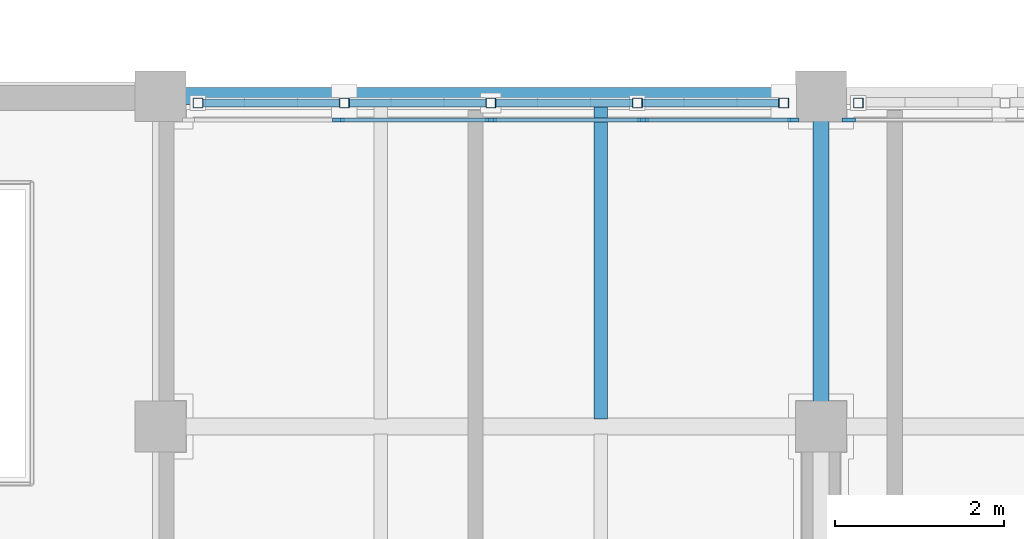
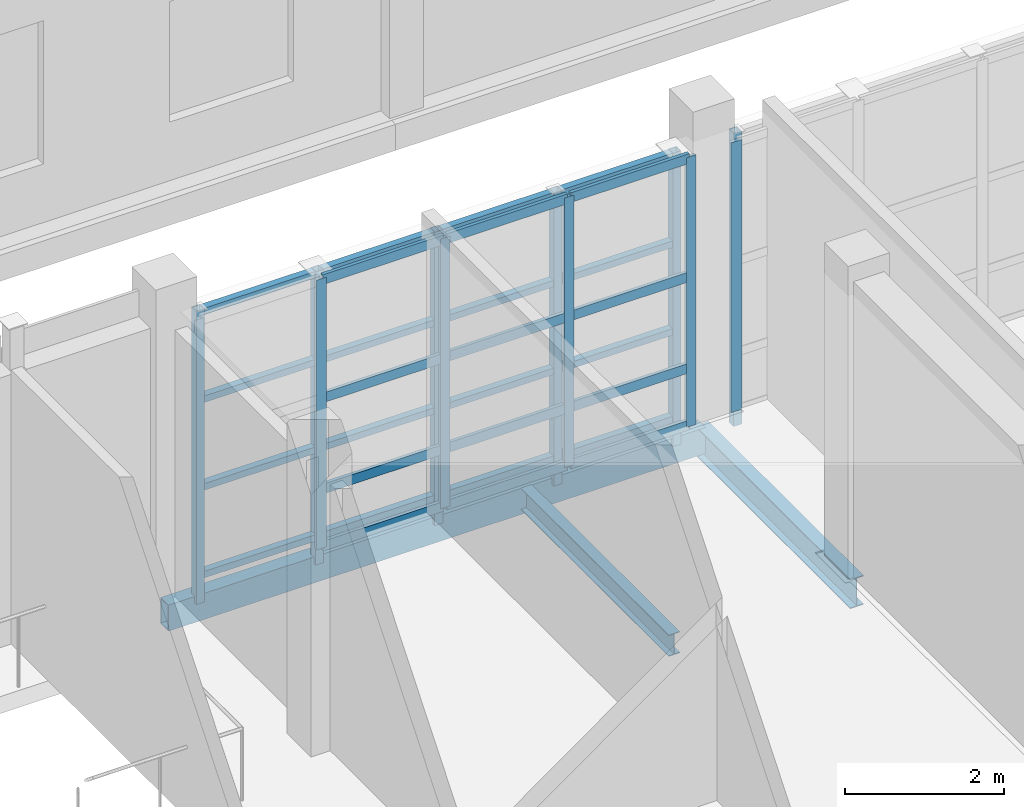
# One storey, part 23 of 138: 39 members, 3 beams, 2 elements without a shape of their own.
"""IFC4 building model written with IfcOpenShell, lengths in metres."""

from ifc_helpers import new_model, si_unit, direction, frame, origin, origin_2d, place, context, subcontext, project, spatial, rectangle, hollow_rectangle, i_section, extrude, material, layer, layer_set, material_profile, profile_set, type_object, element, aggregate, save


model = new_model("IFC4")

# Units and contexts
model_context = context("Model", 3, precision=1e-05, world=origin(), true_north=direction((0.0, 1.0)))
body_context = subcontext(model_context, "Body", "Model", "MODEL_VIEW")
ifc_project = project(units=[si_unit("LENGTHUNIT", "METRE"), si_unit("AREAUNIT", "SQUARE_METRE"), si_unit("VOLUMEUNIT", "CUBIC_METRE"), si_unit("PLANEANGLEUNIT", "RADIAN"), si_unit("MASSUNIT", "GRAM", prefix="KILO")], contexts=[model_context])

# Site, building, storey
site_placement = place(None, origin())
site = spatial("IfcSite", under=ifc_project, at=site_placement, CompositionType="ELEMENT")
building_placement = place(site_placement, origin())
building = spatial("IfcBuilding", under=site, at=building_placement, Name="Celorna Specialist Clinic", CompositionType="ELEMENT")
storey_placement = place(building_placement, frame((0.0, 0.0, 4.800048828125)))
storey = spatial("IfcBuildingStorey", under=building, at=storey_placement, Name="L01", CompositionType="ELEMENT", Elevation=4.800048828125)

# Beams
ifc_material_1 = material(Name="Steel S355", Category="steel")
ifc_material_profile_1 = material_profile(ifc_material_1, i_section(OverallWidth=0.18994140625, OverallDepth=0.449951171875, WebThickness=0.009521484375, FlangeThickness=0.0146484375, at=origin_2d()), Name="IPE 450")
ifc_profile_set_1 = profile_set([ifc_material_profile_1], Name="Steel S355")
beam_type_1 = type_object("IfcBeamType", Name="BM-09", PredefinedType="BEAM", material=ifc_profile_set_1)
beam_1_placement = place(storey_placement, frame((31.199951171875, 23.39990234375, -0.485107421875), z_axis=(0.0, 1.0, 0.0), x_axis=(-1.0, 0.0, 0.0)))
element("IfcBeam", 1, at=beam_1_placement, inside=storey, type_object=beam_type_1, Name="Transverse girder BM-09 #1642", PredefinedType="BEAM", context=body_context, shape_type="SweptSolid", body=[
    extrude(i_section(OverallWidth=0.18994140625, OverallDepth=0.449951171875, WebThickness=0.009521484375, FlangeThickness=0.0146484375, at=origin_2d()), origin(), (0.0, 0.0, 1.0), 3.900146484375),
])
ifc_material_profile_2 = material_profile(ifc_material_1, i_section(OverallWidth=0.159912109375, OverallDepth=0.330078125, WebThickness=0.007568359375, FlangeThickness=0.011474609375, at=origin_2d()), Name="IPE 330")
ifc_profile_set_2 = profile_set([ifc_material_profile_2], Name="Steel S355")
beam_type_2 = type_object("IfcBeamType", Name="BM-12", PredefinedType="JOIST", material=ifc_profile_set_2)
beam_2_placement = place(storey_placement, frame((28.60009765625, 23.488037109375, -0.425048828125), z_axis=(0.0, 1.0, 0.0), x_axis=(-1.0, 0.0, 0.0)))
element("IfcBeam", 2, at=beam_2_placement, inside=storey, type_object=beam_type_2, Name="Secondary floor joist BM-12 #1683", PredefinedType="JOIST", context=body_context, shape_type="SweptSolid", body=[
    extrude(i_section(OverallWidth=0.159912109375, OverallDepth=0.330078125, WebThickness=0.007568359375, FlangeThickness=0.011474609375, at=origin_2d()), origin(), (0.0, 0.0, 1.0), 3.723876953125),
])
ifc_material_profile_3 = material_profile(ifc_material_1, hollow_rectangle(XDim=0.199951171875, YDim=0.39990234375, WallThickness=0.011962890625, at=origin_2d()), Name="RHS 200x400x12")
ifc_profile_set_3 = profile_set([ifc_material_profile_3], Name="Steel S355")
beam_type_3 = type_object("IfcBeamType", Name="BM-15", PredefinedType="SPANDREL", material=ifc_profile_set_3)
beam_3_placement = place(storey_placement, frame((23.39990234375, 27.300048828125, -0.4599609375), z_axis=(1.0, 0.0, 0.0), x_axis=(0.0, 1.0, 0.0)))
element("IfcBeam", 3, at=beam_3_placement, inside=storey, type_object=beam_type_3, Name="Spandrel beam BM-15 #1615", PredefinedType="SPANDREL", context=body_context, shape_type="SweptSolid", body=[
    extrude(hollow_rectangle(XDim=0.199951171875, YDim=0.39990234375, WallThickness=0.011962890625, at=origin_2d()), origin(), (0.0, 0.0, 1.0), 7.800048828125),
])

# Members
ifc_material_profile_4 = material_profile(ifc_material_1, hollow_rectangle(XDim=0.1201171875, YDim=0.1201171875, WallThickness=0.008056640625, at=origin_2d()), Name="SHS 120x120x8")
ifc_profile_set_4 = profile_set([ifc_material_profile_4], Name="Steel S355")
member_type_1 = type_object("IfcMemberType", Name="MB-11", PredefinedType="STUD", material=ifc_profile_set_4)
for number, where, z_axis, x_axis, name in (
    (4, (23.840087890625, 27.219970703125, -0.360107421875), (0.0, 0.0, 1.0), (1.0, 0.0, 0.0), "Perforated screen steel post #1731"),
    (5, (25.570068359375, 27.219970703125, -0.360107421875), (0.0, 0.0, 1.0), (1.0, 0.0, 0.0), "Perforated screen steel post #1732"),
    (6, (27.300048828125, 27.219970703125, -0.360107421875), (0.0, 0.0, 1.0), (1.0, 0.0, 0.0), "Perforated screen steel post #1733"),
    (7, (29.030029296875, 27.219970703125, -0.360107421875), (0.0, 0.0, 1.0), (1.0, 0.0, 0.0), "Perforated screen steel post #1734"),
    (8, (30.760009765625, 27.219970703125, -0.360107421875), (0.0, 0.0, 1.0), (1.0, 0.0, 0.0), "Perforated screen steel post #1735"),
    (9, (31.639892578125, 27.219970703125, -0.360107421875), (0.0, 0.0, 1.0), (1.0, 0.0, 0.0), "Perforated screen steel post #1752"),
):
    element("IfcMember", number, at=place(storey_placement, frame(where, z_axis=z_axis, x_axis=x_axis)), inside=storey, type_object=member_type_1, Name=name, PredefinedType="STUD", context=body_context, shape_type="SweptSolid", body=[
        extrude(hollow_rectangle(XDim=0.1201171875, YDim=0.1201171875, WallThickness=0.008056640625, at=origin_2d()), origin(), (0.0, 0.0, 1.0), 4.5),
    ])
ifc_material_profile_5 = material_profile(ifc_material_1, hollow_rectangle(XDim=0.10009765625, YDim=0.10009765625, WallThickness=0.006103515625, at=origin_2d()), Name="SHS 100x100x6")
ifc_profile_set_5 = profile_set([ifc_material_profile_5], Name="Steel S355")
member_type_2 = type_object("IfcMemberType", Name="MB-12", PredefinedType="STUD", material=ifc_profile_set_5)
for number, where, z_axis, x_axis, name in (
    (10, (23.89990234375, 27.219970703125, 0.050048828125), (1.0, 0.0, 0.0), (0.0, 1.0, 0.0), "Perforated screen rail #1736"),
    (11, (23.89990234375, 27.219970703125, 1.396728515625), (1.0, 0.0, 0.0), (0.0, 1.0, 0.0), "Perforated screen rail #1737"),
    (12, (23.89990234375, 27.219970703125, 2.7431640625), (1.0, 0.0, 0.0), (0.0, 1.0, 0.0), "Perforated screen rail #1738"),
    (13, (23.89990234375, 27.219970703125, 4.08984375), (1.0, 0.0, 0.0), (0.0, 1.0, 0.0), "Perforated screen rail #1739"),
    (14, (25.6298828125, 27.219970703125, 0.050048828125), (1.0, 0.0, 0.0), (0.0, 1.0, 0.0), "Perforated screen rail #1740"),
    (15, (25.6298828125, 27.219970703125, 1.396728515625), (1.0, 0.0, 0.0), (0.0, 1.0, 0.0), "Perforated screen rail #1741"),
    (16, (25.6298828125, 27.219970703125, 2.7431640625), (1.0, 0.0, 0.0), (0.0, 1.0, 0.0), "Perforated screen rail #1742"),
    (17, (25.6298828125, 27.219970703125, 4.08984375), (1.0, 0.0, 0.0), (0.0, 1.0, 0.0), "Perforated screen rail #1743"),
):
    element("IfcMember", number, at=place(storey_placement, frame(where, z_axis=z_axis, x_axis=x_axis)), inside=storey, type_object=member_type_2, Name=name, PredefinedType="STUD", context=body_context, shape_type="SweptSolid", body=[
        extrude(hollow_rectangle(XDim=0.10009765625, YDim=0.10009765625, WallThickness=0.006103515625, at=origin_2d()), origin(), (0.0, 0.0, 1.0), 1.610107421875),
    ])
for number, where, z_axis, x_axis, name in (
    (18, (27.360107421875, 27.219970703125, 0.050048828125), (1.0, 0.0, 0.0), (0.0, 1.0, 0.0), "Perforated screen rail #1744"),
    (19, (27.360107421875, 27.219970703125, 1.396728515625), (1.0, 0.0, 0.0), (0.0, 1.0, 0.0), "Perforated screen rail #1745"),
    (20, (27.360107421875, 27.219970703125, 2.7431640625), (1.0, 0.0, 0.0), (0.0, 1.0, 0.0), "Perforated screen rail #1746"),
    (21, (27.360107421875, 27.219970703125, 4.08984375), (1.0, 0.0, 0.0), (0.0, 1.0, 0.0), "Perforated screen rail #1747"),
    (22, (29.090087890625, 27.219970703125, 0.050048828125), (1.0, 0.0, 0.0), (0.0, 1.0, 0.0), "Perforated screen rail #1748"),
    (23, (29.090087890625, 27.219970703125, 1.396728515625), (1.0, 0.0, 0.0), (0.0, 1.0, 0.0), "Perforated screen rail #1749"),
    (24, (29.090087890625, 27.219970703125, 2.7431640625), (1.0, 0.0, 0.0), (0.0, 1.0, 0.0), "Perforated screen rail #1750"),
    (25, (29.090087890625, 27.219970703125, 4.08984375), (1.0, 0.0, 0.0), (0.0, 1.0, 0.0), "Perforated screen rail #1751"),
):
    element("IfcMember", number, at=place(storey_placement, frame(where, z_axis=z_axis, x_axis=x_axis)), inside=storey, type_object=member_type_2, Name=name, PredefinedType="STUD", context=body_context, shape_type="SweptSolid", body=[
        extrude(hollow_rectangle(XDim=0.10009765625, YDim=0.10009765625, WallThickness=0.006103515625, at=origin_2d()), origin(), (0.0, 0.0, 1.0), 1.60986328125),
    ])

# Curtain wall, member
ifc_material_2 = material(Name="Thermally broken aluminium and solar-control glass curtain wall", Category="aluminium")
ifc_layer_1 = layer(ifc_material_2, 0.159912109375, Name="Thermally broken aluminium and solar-control glass curtain wall")
ifc_layer_set_1 = layer_set([ifc_layer_1], Name="Thermally broken aluminium and solar-control glass curtain wall")
curtain_wall_type_1 = type_object("IfcCurtainWallType", Name="CW-16", PredefinedType="NOTDEFINED", material=ifc_layer_set_1)
curtain_wall_1_placement = place(storey_placement, origin())
curtain_wall_1 = element("IfcCurtainWall", 26, at=curtain_wall_1_placement, inside=storey, type_object=curtain_wall_type_1, Name="Curtain wall CW-16 #156", PredefinedType="NOTDEFINED")
ifc_material_3 = material(Name="Anodized aluminium mullion", Category="aluminium")
ifc_material_profile_6 = material_profile(ifc_material_3, rectangle(XDim=0.050048828125, YDim=0.159912109375, at=origin_2d()), Name="ALU MULLION 50x160")
ifc_profile_set_6 = profile_set([ifc_material_profile_6], Name="Anodized aluminium mullion")
member_type_3 = type_object("IfcMemberType", Name="ML-01", PredefinedType="MULLION", material=ifc_profile_set_6)
member_1_placement = place(storey_placement, frame((31.529052734375, 27.02001953125, 0.0), z_axis=(0.0, 0.0, 1.0), x_axis=(0.0, 1.0, 0.0)))
member_1 = element("IfcMember", 27, at=member_1_placement, type_object=member_type_3, Name="CW-16 mullion 1", PredefinedType="MULLION", context=body_context, shape_type="SweptSolid", body=[
    extrude(rectangle(XDim=0.050048828125, YDim=0.159912109375, at=origin_2d()), origin(), (0.0, 0.0, 1.0), 4.139892578125),
])
aggregate(curtain_wall_1, [member_1])

# Curtain wall, members
ifc_layer_2 = layer(ifc_material_2, 0.159912109375, Name="Thermally broken aluminium and solar-control glass curtain wall")
ifc_layer_set_2 = layer_set([ifc_layer_2], Name="Thermally broken aluminium and solar-control glass curtain wall")
curtain_wall_type_2 = type_object("IfcCurtainWallType", Name="CW-15", PredefinedType="NOTDEFINED", material=ifc_layer_set_2)
curtain_wall_2_placement = place(storey_placement, origin())
curtain_wall_2 = element("IfcCurtainWall", 28, at=curtain_wall_2_placement, inside=storey, type_object=curtain_wall_type_2, Name="Curtain wall CW-15 #155", PredefinedType="NOTDEFINED")
ifc_material_profile_7 = material_profile(ifc_material_3, rectangle(XDim=0.050048828125, YDim=0.139892578125, at=origin_2d()), Name="ALU MULLION 50x140")
ifc_profile_set_7 = profile_set([ifc_material_profile_7], Name="Anodized aluminium mullion")
member_type_4 = type_object("IfcMemberType", Name="ML-03", PredefinedType="MULLION", material=ifc_profile_set_7)
member_2_placement = place(storey_placement, frame((25.501953125, 27.02001953125, 0.0), z_axis=(0.0, 0.0, 1.0), x_axis=(0.0, 1.0, 0.0)))
member_2 = element("IfcMember", 29, at=member_2_placement, type_object=member_type_4, Name="CW-15 mullion 2", PredefinedType="MULLION", context=body_context, shape_type="SweptSolid", body=[
    extrude(rectangle(XDim=0.050048828125, YDim=0.139892578125, at=origin_2d()), origin(), (0.0, 0.0, 1.0), 4.139892578125),
])
member_3_placement = place(storey_placement, frame((27.300048828125, 27.02001953125, 0.0), z_axis=(0.0, 0.0, 1.0), x_axis=(0.0, 1.0, 0.0)))
member_3 = element("IfcMember", 30, at=member_3_placement, type_object=member_type_4, Name="CW-15 mullion 3", PredefinedType="MULLION", context=body_context, shape_type="SweptSolid", body=[
    extrude(rectangle(XDim=0.050048828125, YDim=0.139892578125, at=origin_2d()), origin(), (0.0, 0.0, 1.0), 4.139892578125),
])
member_4_placement = place(storey_placement, frame((29.097900390625, 27.02001953125, 0.0), z_axis=(0.0, 0.0, 1.0), x_axis=(0.0, 1.0, 0.0)))
member_4 = element("IfcMember", 31, at=member_4_placement, type_object=member_type_4, Name="CW-15 mullion 4", PredefinedType="MULLION", context=body_context, shape_type="SweptSolid", body=[
    extrude(rectangle(XDim=0.050048828125, YDim=0.139892578125, at=origin_2d()), origin(), (0.0, 0.0, 1.0), 4.139892578125),
])
member_5_placement = place(storey_placement, frame((30.87109375, 27.02001953125, 0.0), z_axis=(0.0, 0.0, 1.0), x_axis=(0.0, 1.0, 0.0)))
member_5 = element("IfcMember", 32, at=member_5_placement, type_object=member_type_4, Name="CW-15 mullion 5", PredefinedType="MULLION", context=body_context, shape_type="SweptSolid", body=[
    extrude(rectangle(XDim=0.050048828125, YDim=0.139892578125, at=origin_2d()), origin(), (0.0, 0.0, 1.0), 4.139892578125),
])
ifc_material_4 = material(Name="Anodized aluminium transom", Category="aluminium")
ifc_material_profile_8 = material_profile(ifc_material_4, rectangle(XDim=0.050048828125, YDim=0.14990234375, at=origin_2d()), Name="ALU TRANSOM 50x150")
ifc_profile_set_8 = profile_set([ifc_material_profile_8], Name="Anodized aluminium transom")
member_type_5 = type_object("IfcMemberType", Name="TR-02", PredefinedType="USERDEFINED", material=ifc_profile_set_8)
member_6_placement = place(storey_placement, frame((25.527099609375, 27.02001953125, 0.02490234375), z_axis=(1.0, 0.0, 0.0), x_axis=(0.0, 1.0, 0.0)))
member_6 = element("IfcMember", 33, at=member_6_placement, type_object=member_type_5, Name="CW-15 transom 2.1", ObjectType="TRANSOM", PredefinedType="USERDEFINED", context=body_context, shape_type="SweptSolid", body=[
    extrude(rectangle(XDim=0.050048828125, YDim=0.14990234375, at=origin_2d()), origin(), (0.0, 0.0, 1.0), 1.747802734375),
])
member_7_placement = place(storey_placement, frame((25.527099609375, 27.02001953125, 0.89990234375), z_axis=(1.0, 0.0, 0.0), x_axis=(0.0, 1.0, 0.0)))
member_7 = element("IfcMember", 34, at=member_7_placement, type_object=member_type_5, Name="CW-15 transom 2.2", ObjectType="TRANSOM", PredefinedType="USERDEFINED", context=body_context, shape_type="SweptSolid", body=[
    extrude(rectangle(XDim=0.050048828125, YDim=0.14990234375, at=origin_2d()), origin(), (0.0, 0.0, 1.0), 1.747802734375),
])
member_8_placement = place(storey_placement, frame((25.527099609375, 27.02001953125, 2.300048828125), z_axis=(1.0, 0.0, 0.0), x_axis=(0.0, 1.0, 0.0)))
member_8 = element("IfcMember", 35, at=member_8_placement, type_object=member_type_5, Name="CW-15 transom 2.3", ObjectType="TRANSOM", PredefinedType="USERDEFINED", context=body_context, shape_type="SweptSolid", body=[
    extrude(rectangle(XDim=0.050048828125, YDim=0.14990234375, at=origin_2d()), origin(), (0.0, 0.0, 1.0), 1.747802734375),
])
member_9_placement = place(storey_placement, frame((25.527099609375, 27.02001953125, 4.114990234375), z_axis=(1.0, 0.0, 0.0), x_axis=(0.0, 1.0, 0.0)))
member_9 = element("IfcMember", 36, at=member_9_placement, type_object=member_type_5, Name="CW-15 transom 2.4", ObjectType="TRANSOM", PredefinedType="USERDEFINED", context=body_context, shape_type="SweptSolid", body=[
    extrude(rectangle(XDim=0.050048828125, YDim=0.14990234375, at=origin_2d()), origin(), (0.0, 0.0, 1.0), 1.747802734375),
])
member_10_placement = place(storey_placement, frame((27.324951171875, 27.02001953125, 0.02490234375), z_axis=(1.0, 0.0, 0.0), x_axis=(0.0, 1.0, 0.0)))
member_10 = element("IfcMember", 37, at=member_10_placement, type_object=member_type_5, Name="CW-15 transom 3.1", ObjectType="TRANSOM", PredefinedType="USERDEFINED", context=body_context, shape_type="SweptSolid", body=[
    extrude(rectangle(XDim=0.050048828125, YDim=0.14990234375, at=origin_2d()), origin(), (0.0, 0.0, 1.0), 1.748046875),
])
member_11_placement = place(storey_placement, frame((27.324951171875, 27.02001953125, 0.89990234375), z_axis=(1.0, 0.0, 0.0), x_axis=(0.0, 1.0, 0.0)))
member_11 = element("IfcMember", 38, at=member_11_placement, type_object=member_type_5, Name="CW-15 transom 3.2", ObjectType="TRANSOM", PredefinedType="USERDEFINED", context=body_context, shape_type="SweptSolid", body=[
    extrude(rectangle(XDim=0.050048828125, YDim=0.14990234375, at=origin_2d()), origin(), (0.0, 0.0, 1.0), 1.748046875),
])
member_12_placement = place(storey_placement, frame((27.324951171875, 27.02001953125, 2.300048828125), z_axis=(1.0, 0.0, 0.0), x_axis=(0.0, 1.0, 0.0)))
member_12 = element("IfcMember", 39, at=member_12_placement, type_object=member_type_5, Name="CW-15 transom 3.3", ObjectType="TRANSOM", PredefinedType="USERDEFINED", context=body_context, shape_type="SweptSolid", body=[
    extrude(rectangle(XDim=0.050048828125, YDim=0.14990234375, at=origin_2d()), origin(), (0.0, 0.0, 1.0), 1.748046875),
])
member_13_placement = place(storey_placement, frame((27.324951171875, 27.02001953125, 4.114990234375), z_axis=(1.0, 0.0, 0.0), x_axis=(0.0, 1.0, 0.0)))
member_13 = element("IfcMember", 40, at=member_13_placement, type_object=member_type_5, Name="CW-15 transom 3.4", ObjectType="TRANSOM", PredefinedType="USERDEFINED", context=body_context, shape_type="SweptSolid", body=[
    extrude(rectangle(XDim=0.050048828125, YDim=0.14990234375, at=origin_2d()), origin(), (0.0, 0.0, 1.0), 1.748046875),
])
member_14_placement = place(storey_placement, frame((29.123046875, 27.02001953125, 0.02490234375), z_axis=(1.0, 0.0, 0.0), x_axis=(0.0, 1.0, 0.0)))
member_14 = element("IfcMember", 41, at=member_14_placement, type_object=member_type_5, Name="CW-15 transom 4.1", ObjectType="TRANSOM", PredefinedType="USERDEFINED", context=body_context, shape_type="SweptSolid", body=[
    extrude(rectangle(XDim=0.050048828125, YDim=0.14990234375, at=origin_2d()), origin(), (0.0, 0.0, 1.0), 1.722900390625),
])
member_15_placement = place(storey_placement, frame((29.123046875, 27.02001953125, 0.89990234375), z_axis=(1.0, 0.0, 0.0), x_axis=(0.0, 1.0, 0.0)))
member_15 = element("IfcMember", 42, at=member_15_placement, type_object=member_type_5, Name="CW-15 transom 4.2", ObjectType="TRANSOM", PredefinedType="USERDEFINED", context=body_context, shape_type="SweptSolid", body=[
    extrude(rectangle(XDim=0.050048828125, YDim=0.14990234375, at=origin_2d()), origin(), (0.0, 0.0, 1.0), 1.722900390625),
])
member_16_placement = place(storey_placement, frame((29.123046875, 27.02001953125, 2.300048828125), z_axis=(1.0, 0.0, 0.0), x_axis=(0.0, 1.0, 0.0)))
member_16 = element("IfcMember", 43, at=member_16_placement, type_object=member_type_5, Name="CW-15 transom 4.3", ObjectType="TRANSOM", PredefinedType="USERDEFINED", context=body_context, shape_type="SweptSolid", body=[
    extrude(rectangle(XDim=0.050048828125, YDim=0.14990234375, at=origin_2d()), origin(), (0.0, 0.0, 1.0), 1.722900390625),
])
member_17_placement = place(storey_placement, frame((29.123046875, 27.02001953125, 4.114990234375), z_axis=(1.0, 0.0, 0.0), x_axis=(0.0, 1.0, 0.0)))
member_17 = element("IfcMember", 44, at=member_17_placement, type_object=member_type_5, Name="CW-15 transom 4.4", ObjectType="TRANSOM", PredefinedType="USERDEFINED", context=body_context, shape_type="SweptSolid", body=[
    extrude(rectangle(XDim=0.050048828125, YDim=0.14990234375, at=origin_2d()), origin(), (0.0, 0.0, 1.0), 1.722900390625),
])
aggregate(curtain_wall_2, [member_2, member_3, member_4, member_5, member_6, member_7, member_8, member_9, member_10, member_11, member_12, member_13, member_14, member_15, member_16, member_17])

save(model, "model.ifc")
